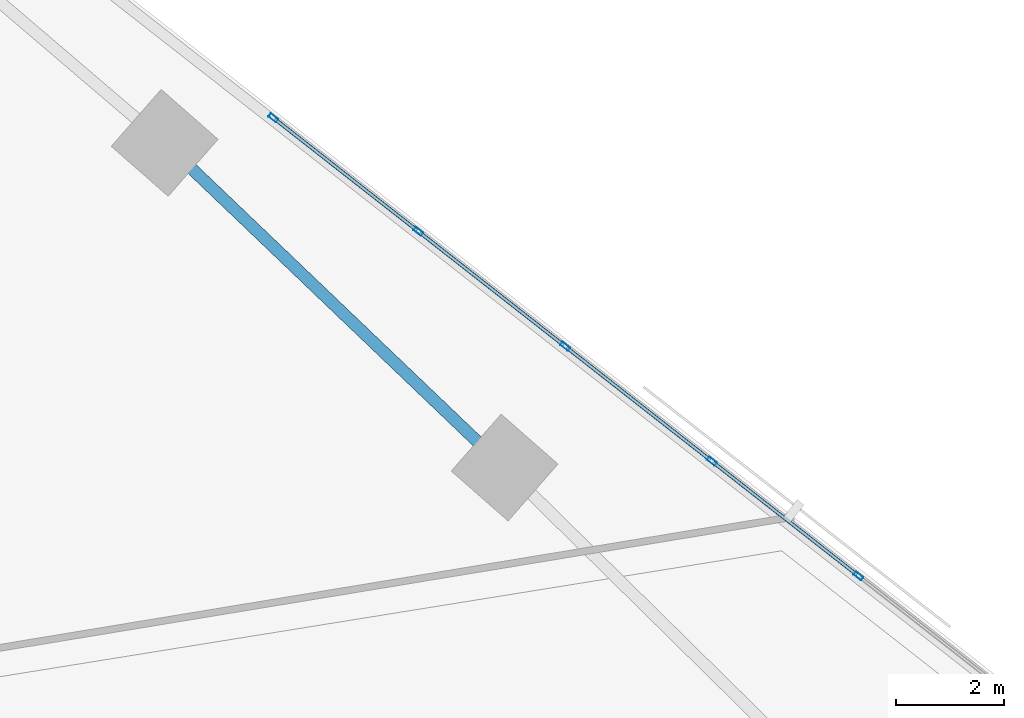
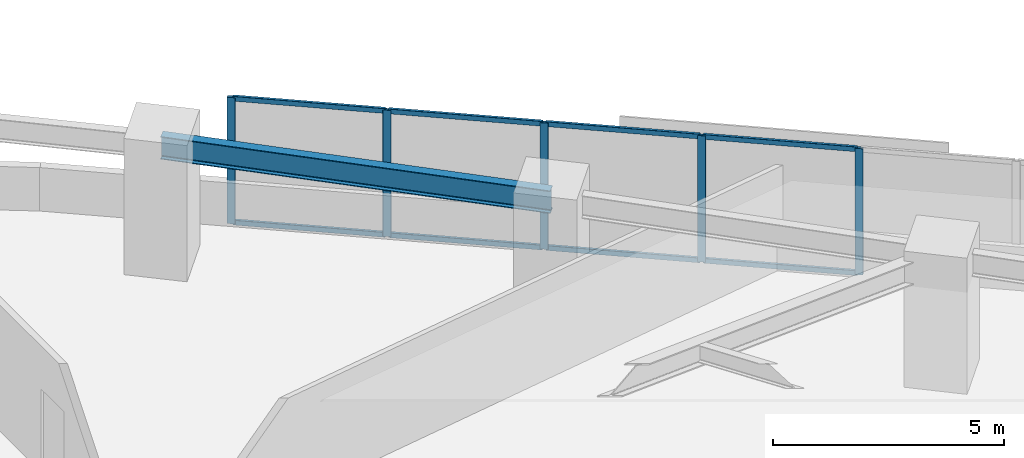
# One storey, part 6 of 15: 13 members, 1 beam, 1 element without a shape of its own.
"""IFC4 building model written with IfcOpenShell, lengths in metres."""

import ifcopenshell
import ifcopenshell.guid

model = None  # the IFC model being written
_history = None  # IfcOwnerHistory: only IFC2X3 demands one
_inside = {}  # id of a spatial element -> (the spatial element, [elements in it])
_under = {}  # id of a project, library or spatial element -> (it, [spatial elements below it])
_declared = {}  # id of a project -> (the project, [libraries it declares])
_typed = {}  # id of a type object -> (the type object, [elements of that type])
_made_of = {}  # id of a material, layer set ... -> (it, [elements and type objects made of it])


def new_model(schema):
    """Start an empty IFC model of exactly this schema.

    Asked for "IFC4X3", IfcOpenShell would pick the latest addendum, in which some entities
    have other attributes; the version numbers below select the first issue.
    IFC2X3 requires an IfcOwnerHistory on every rooted entity: one is made here for all.
    """
    global model, _history
    if schema == "IFC4X3":
        model = ifcopenshell.file(schema_version=(4, 3, 0, 0))
    else:
        model = ifcopenshell.file(schema=schema)
    _inside.clear()
    _under.clear()
    _declared.clear()
    _typed.clear()
    _made_of.clear()
    _history = None
    if model.schema == "IFC2X3":
        org = make("IfcOrganization", Name="unknown")
        user = make(
            "IfcPersonAndOrganization",
            ThePerson=make("IfcPerson", FamilyName="unknown"),
            TheOrganization=org,
        )
        app = make(
            "IfcApplication",
            ApplicationDeveloper=org,
            Version="unknown",
            ApplicationFullName="unknown",
            ApplicationIdentifier="unknown",
        )
        _history = make(
            "IfcOwnerHistory",
            OwningUser=user,
            OwningApplication=app,
            ChangeAction="ADDED",
            CreationDate=0,
        )
    return model


def make(cls, **values):
    """One entity of the class cls with the attributes given. An attribute that is None is left unset."""
    return model.create_entity(
        cls, **{name: value for name, value in values.items() if value is not None}
    )


def rooted(cls, **values):
    """An entity with a GlobalId (a new one), such as an element, a storey or a relation."""
    return make(cls, GlobalId=ifcopenshell.guid.new(), OwnerHistory=_history, **values)


def si_unit(unit_type, name, prefix=None):
    """IfcSIUnit, for example si_unit("LENGTHUNIT", "METRE", prefix="MILLI")."""
    return make("IfcSIUnit", UnitType=unit_type, Prefix=prefix, Name=name)


def assignment(units):
    """IfcUnitAssignment: the units of a project."""
    return None if units is None else make("IfcUnitAssignment", Units=units)


def point(xyz):
    """IfcCartesianPoint."""
    return None if xyz is None else make("IfcCartesianPoint", Coordinates=xyz)


def direction(xyz):
    """IfcDirection."""
    return None if xyz is None else make("IfcDirection", DirectionRatios=xyz)


def frame(location, z_axis=None, x_axis=None):
    """IfcAxis2Placement3D, a coordinate frame: its origin and axes. An axis left out is left unset."""
    return make(
        "IfcAxis2Placement3D",
        Location=point(location),
        Axis=direction(z_axis),
        RefDirection=direction(x_axis),
    )


def frame_2d(location, x_axis=None):
    """IfcAxis2Placement2D, a coordinate frame in the plane: its origin and x axis."""
    return make(
        "IfcAxis2Placement2D", Location=point(location), RefDirection=direction(x_axis)
    )


def origin():
    """The frame at (0, 0, 0) with its axes left unset."""
    return frame((0.0, 0.0, 0.0))


def origin_2d():
    """The frame at (0, 0) in the plane with its x axis left unset."""
    return frame_2d((0.0, 0.0))


def place(relative_to, where):
    """IfcLocalPlacement: puts the frame where relative to a parent placement (None: the world)."""
    return make(
        "IfcLocalPlacement", PlacementRelTo=relative_to, RelativePlacement=where
    )


def context(
    kind, dimensions, precision=None, world=None, true_north=None, identifier=None
):
    """IfcGeometricRepresentationContext, for example the 3D "Model" context."""
    return make(
        "IfcGeometricRepresentationContext",
        ContextIdentifier=identifier,
        ContextType=kind,
        CoordinateSpaceDimension=dimensions,
        Precision=precision,
        WorldCoordinateSystem=world,
        TrueNorth=true_north,
    )


def subcontext(parent, identifier, kind, view, scale=None):
    """IfcGeometricRepresentationSubContext, for example "Body" below "Model"."""
    return make(
        "IfcGeometricRepresentationSubContext",
        ContextIdentifier=identifier,
        ContextType=kind,
        ParentContext=parent,
        TargetScale=scale,
        TargetView=view,
    )


def project(units=None, contexts=None):
    """IfcProject with its units and contexts."""
    return rooted(
        "IfcProject",
        Name="project",
        RepresentationContexts=contexts,
        UnitsInContext=assignment(units),
    )


def spatial(cls, under=None, at=None, **own):
    """A site, building, storey or space (cls), placed at a placement, below another one or the project."""
    s = rooted(cls, ObjectPlacement=at, **own)
    if under is not None:
        _under.setdefault(under.id(), (under, []))[1].append(s)
    return s


def profile(cls, at=None, kind="AREA", **sizes):
    """A parametric profile (cls). Its sizes go by their IFC names, for example OverallWidth=200.0."""
    return make(cls, ProfileType=kind, Position=at, **sizes)


def hollow_rectangle(**sizes):
    """IfcRectangleHollowProfileDef."""
    return profile("IfcRectangleHollowProfileDef", **sizes)


def i_section(**sizes):
    """IfcIShapeProfileDef."""
    return profile("IfcIShapeProfileDef", **sizes)


def extrude(swept, where, along, depth):
    """IfcExtrudedAreaSolid: the profile swept, set in the frame where, extruded along a direction by depth."""
    return make(
        "IfcExtrudedAreaSolid",
        SweptArea=swept,
        Position=where,
        ExtrudedDirection=direction(along),
        Depth=depth,
    )


def shape(context_of_items, identifier, shape_type, items):
    """IfcShapeRepresentation: the items that make up one representation, for example the "Body"."""
    return make(
        "IfcShapeRepresentation",
        ContextOfItems=context_of_items,
        RepresentationIdentifier=identifier,
        RepresentationType=shape_type,
        Items=items,
    )


def material(Name=None, Category=None):
    """IfcMaterial."""
    return make("IfcMaterial", Name=Name, Category=Category)


def material_profile(
    of_material, cross_section, Name=None, Category=None, Priority=None
):
    """IfcMaterialProfile: a cross section and its material."""
    return make(
        "IfcMaterialProfile",
        Name=Name,
        Material=of_material,
        Profile=cross_section,
        Priority=Priority,
        Category=Category,
    )


def profile_set(profiles, Name=None, composite=None):
    """IfcMaterialProfileSet."""
    return make(
        "IfcMaterialProfileSet",
        Name=Name,
        MaterialProfiles=profiles,
        CompositeProfile=composite,
    )


def made_of(thing, what):
    """Note that an element or type object is made of a material, layer set ...; save() writes the relation."""
    if what is not None:
        _made_of.setdefault(what.id(), (what, []))[1].append(thing)
    return thing


def type_object(cls, material=None, **own):
    """A type object (cls), such as IfcWallType, which elements share."""
    return made_of(rooted(cls, **own), material)


def element(
    cls,
    number,
    at=None,
    inside=None,
    cuts=None,
    type_object=None,
    material=None,
    context=None,
    identifier="Body",
    shape_type=None,
    held_by="IfcProductDefinitionShape",
    body=None,
    shapes=None,
    **own,
):
    """One element of the class cls, such as IfcWall. Its Tag is "e" and its number.

    at: its placement. inside: the storey or other place that contains it. cuts: it is an
    opening in that element (IfcRelVoidsElement). A single representation is given by context,
    identifier, shape_type and body (its items); several are given by shapes. held_by: the class
    of the entity that holds the representations. save() writes the other relations.
    """
    e = rooted(cls, Tag="e%d" % number, ObjectPlacement=at, **own)
    if body is not None:
        shapes = [shape(context, identifier, shape_type, body)]
    if shapes is not None:
        e.Representation = make(held_by, Representations=shapes)
    if inside is not None:
        _inside.setdefault(inside.id(), (inside, []))[1].append(e)
    if cuts is not None:
        rooted(
            "IfcRelVoidsElement", RelatingBuildingElement=cuts, RelatedOpeningElement=e
        )
    if type_object is not None:
        _typed.setdefault(type_object.id(), (type_object, []))[1].append(e)
    return made_of(e, material)


def aggregate(whole, parts):
    """IfcRelAggregates: a whole, such as a stair, and the parts it consists of."""
    return rooted("IfcRelAggregates", RelatingObject=whole, RelatedObjects=parts)


def save(model, path):
    """Write the relations noted so far, then the file.

    IfcRelAggregates (storeys below a building ...), IfcRelContainedInSpatialStructure (elements
    in a storey), IfcRelDefinesByType, IfcRelAssociatesMaterial and IfcRelDeclares: one each for
    every whole, place, type object, material and project.
    """
    for whole, parts in _under.values():
        aggregate(whole, parts)
    for where, things in _inside.values():
        rooted(
            "IfcRelContainedInSpatialStructure",
            RelatedElements=things,
            RelatingStructure=where,
        )
    for kind, things in _typed.values():
        rooted("IfcRelDefinesByType", RelatedObjects=things, RelatingType=kind)
    for what, things in _made_of.values():
        rooted("IfcRelAssociatesMaterial", RelatedObjects=things, RelatingMaterial=what)
    for by, libraries in _declared.values():
        rooted("IfcRelDeclares", RelatingContext=by, RelatedDefinitions=libraries)
    model.write(path)


model = new_model("IFC4")

# Units and contexts
model_context = context("Model", 3, precision=1e-05, world=origin(), true_north=direction((0.0, 1.0)))
body_context = subcontext(model_context, "Body", "Model", "MODEL_VIEW")
ifc_project = project(units=[si_unit("LENGTHUNIT", "METRE"), si_unit("AREAUNIT", "SQUARE_METRE"), si_unit("VOLUMEUNIT", "CUBIC_METRE"), si_unit("PLANEANGLEUNIT", "RADIAN"), si_unit("MASSUNIT", "GRAM", prefix="KILO")], contexts=[model_context])

# Site, building, storey
site_placement = place(None, origin())
site = spatial("IfcSite", under=ifc_project, at=site_placement, CompositionType="ELEMENT")
building_placement = place(site_placement, origin())
building = spatial("IfcBuilding", under=site, at=building_placement, Name="Narakoshi Arena Tower", CompositionType="ELEMENT")
storey_placement = place(building_placement, frame((0.0, 0.0, 70.5)))
storey = spatial("IfcBuildingStorey", under=building, at=storey_placement, Name="L18", CompositionType="ELEMENT", Elevation=70.5)

# Beam
ifc_material_1 = material(Name="Structural steel S355J2", Category="steel")
ifc_material_profile_1 = material_profile(ifc_material_1, i_section(OverallWidth=0.219970703125, OverallDepth=0.60009765625, WebThickness=0.011962890625, FlangeThickness=0.01904296875, FilletRadius=0.02392578125, at=origin_2d()), Name="IPE600")
ifc_profile_set_1 = profile_set([ifc_material_profile_1], Name="Structural steel S355J2")
beam_type = type_object("IfcBeamType", Name="BM-EDGE-600", PredefinedType="BEAM", material=ifc_profile_set_1)
beam_placement = place(storey_placement, frame((100.76318359375, 50.931640625, 3.0400390625), z_axis=(-0.723088904438, 0.690754975572, 0.0), x_axis=(-0.690754975572, -0.723088904438, 0.0)))
element("IfcBeam", 1, at=beam_placement, inside=storey, type_object=beam_type, Name="L18 Perimeter Edge Girder 07", PredefinedType="BEAM", context=body_context, shape_type="SweptSolid", body=[
    extrude(i_section(OverallWidth=0.219970703125, OverallDepth=0.60009765625, WebThickness=0.011962890625, FlangeThickness=0.01904296875, FilletRadius=0.02392578125, at=origin_2d()), origin(), (0.0, 0.0, 1.0), 8.690673828125),
])

# Curtain wall, members
ifc_material_2 = material(Name="Anodised bronze aluminium 6063-T6", Category="aluminium")
curtain_wall_type = type_object("IfcCurtainWallType", Name="CW-HYP-LOW", PredefinedType="NOTDEFINED", material=ifc_material_2)
curtain_wall_placement = place(storey_placement, origin())
curtain_wall = element("IfcCurtainWall", 2, at=curtain_wall_placement, inside=storey, type_object=curtain_wall_type, Name="L18 Folded Hypotenuse Curtain Wall 1-1", PredefinedType="NOTDEFINED")
ifc_material_profile_2 = material_profile(ifc_material_2, hollow_rectangle(XDim=0.074951171875, YDim=0.179931640625, WallThickness=0.00390625, OuterFilletRadius=0.0048828125, at=origin_2d()), Name="MUL180x75x4")
ifc_profile_set_2 = profile_set([ifc_material_profile_2], Name="Anodised bronze aluminium 6063-T6")
member_type_1 = type_object("IfcMemberType", Name="MEM-MUL-180", PredefinedType="MULLION", material=ifc_profile_set_2)
member_1_placement = place(storey_placement, frame((107.304443359375, 48.927490234375, 0.0), z_axis=(0.0, 0.0, 1.0), x_axis=(-0.616458234641, -0.787387607817, 0.0)))
member_1 = element("IfcMember", 3, at=member_1_placement, type_object=member_type_1, Name="CW-01 mullion 6", PredefinedType="MULLION", context=body_context, shape_type="SweptSolid", body=[
    extrude(hollow_rectangle(XDim=0.074951171875, YDim=0.179931640625, WallThickness=0.00390625, OuterFilletRadius=0.0048828125, at=origin_2d()), origin(), (0.0, 0.0, 1.0), 3.340087890625),
])
member_2_placement = place(storey_placement, frame((104.5927734375, 51.050537109375, 0.0), z_axis=(0.0, 0.0, 1.0), x_axis=(-0.616458234641, -0.787387607817, 0.0)))
member_2 = element("IfcMember", 4, at=member_2_placement, type_object=member_type_1, Name="CW-01 mullion 7", PredefinedType="MULLION", context=body_context, shape_type="SweptSolid", body=[
    extrude(hollow_rectangle(XDim=0.074951171875, YDim=0.179931640625, WallThickness=0.00390625, OuterFilletRadius=0.0048828125, at=origin_2d()), origin(), (0.0, 0.0, 1.0), 3.340087890625),
])
member_3_placement = place(storey_placement, frame((101.88134765625, 53.17333984375, 0.0), z_axis=(0.0, 0.0, 1.0), x_axis=(-0.616458234641, -0.787387607817, 0.0)))
member_3 = element("IfcMember", 5, at=member_3_placement, type_object=member_type_1, Name="CW-01 mullion 8", PredefinedType="MULLION", context=body_context, shape_type="SweptSolid", body=[
    extrude(hollow_rectangle(XDim=0.074951171875, YDim=0.179931640625, WallThickness=0.00390625, OuterFilletRadius=0.0048828125, at=origin_2d()), origin(), (0.0, 0.0, 1.0), 3.340087890625),
])
member_4_placement = place(storey_placement, frame((99.169677734375, 55.29638671875, 0.0), z_axis=(0.0, 0.0, 1.0), x_axis=(-0.616458234641, -0.787387607817, 0.0)))
member_4 = element("IfcMember", 6, at=member_4_placement, type_object=member_type_1, Name="CW-01 mullion 9", PredefinedType="MULLION", context=body_context, shape_type="SweptSolid", body=[
    extrude(hollow_rectangle(XDim=0.074951171875, YDim=0.179931640625, WallThickness=0.00390625, OuterFilletRadius=0.0048828125, at=origin_2d()), origin(), (0.0, 0.0, 1.0), 3.340087890625),
])
member_5_placement = place(storey_placement, frame((96.48779296875, 57.39599609375, 0.0), z_axis=(0.0, 0.0, 1.0), x_axis=(-0.616458234641, -0.787387607817, 0.0)))
member_5 = element("IfcMember", 7, at=member_5_placement, type_object=member_type_1, Name="CW-01 mullion 10", PredefinedType="MULLION", context=body_context, shape_type="SweptSolid", body=[
    extrude(hollow_rectangle(XDim=0.074951171875, YDim=0.179931640625, WallThickness=0.00390625, OuterFilletRadius=0.0048828125, at=origin_2d()), origin(), (0.0, 0.0, 1.0), 3.340087890625),
])
ifc_material_profile_3 = material_profile(ifc_material_2, hollow_rectangle(XDim=0.06494140625, YDim=0.1298828125, WallThickness=0.00390625, OuterFilletRadius=0.0048828125, at=origin_2d()), Name="TRN130x65x4")
ifc_profile_set_3 = profile_set([ifc_material_profile_3], Name="Anodised bronze aluminium 6063-T6")
member_type_2 = type_object("IfcMemberType", Name="MEM-TRN-130", PredefinedType="USERDEFINED", material=ifc_profile_set_3)
member_6_placement = place(storey_placement, frame((107.27490234375, 48.95068359375, 0.032470703125), z_axis=(-0.787400998112, 0.616441131149, 0.0), x_axis=(-0.616441131149, -0.787400998112, 0.0)))
member_6 = element("IfcMember", 8, at=member_6_placement, type_object=member_type_2, Name="CW-01 transom 6.1", ObjectType="TRANSOM", PredefinedType="USERDEFINED", context=body_context, shape_type="SweptSolid", body=[
    extrude(hollow_rectangle(XDim=0.06494140625, YDim=0.1298828125, WallThickness=0.00390625, OuterFilletRadius=0.0048828125, at=origin_2d()), origin(), (0.0, 0.0, 1.0), 3.368896484375),
])
member_7_placement = place(storey_placement, frame((107.27490234375, 48.95068359375, 3.3076171875), z_axis=(-0.787400998112, 0.616441131149, 0.0), x_axis=(-0.616441131149, -0.787400998112, 0.0)))
member_7 = element("IfcMember", 9, at=member_7_placement, type_object=member_type_2, Name="CW-01 transom 6.2", ObjectType="TRANSOM", PredefinedType="USERDEFINED", context=body_context, shape_type="SweptSolid", body=[
    extrude(hollow_rectangle(XDim=0.06494140625, YDim=0.1298828125, WallThickness=0.00390625, OuterFilletRadius=0.0048828125, at=origin_2d()), origin(), (0.0, 0.0, 1.0), 3.368896484375),
])
member_8_placement = place(storey_placement, frame((104.563232421875, 51.073486328125, 0.032470703125), z_axis=(-0.787373456673, 0.616476309137, 0.0), x_axis=(-0.616476309137, -0.787373456673, 0.0)))
member_8 = element("IfcMember", 10, at=member_8_placement, type_object=member_type_2, Name="CW-01 transom 7.1", ObjectType="TRANSOM", PredefinedType="USERDEFINED", context=body_context, shape_type="SweptSolid", body=[
    extrude(hollow_rectangle(XDim=0.06494140625, YDim=0.1298828125, WallThickness=0.00390625, OuterFilletRadius=0.0048828125, at=origin_2d()), origin(), (0.0, 0.0, 1.0), 3.36865234375),
])
member_9_placement = place(storey_placement, frame((104.563232421875, 51.073486328125, 3.3076171875), z_axis=(-0.787373456673, 0.616476309137, 0.0), x_axis=(-0.616476309137, -0.787373456673, 0.0)))
member_9 = element("IfcMember", 11, at=member_9_placement, type_object=member_type_2, Name="CW-01 transom 7.2", ObjectType="TRANSOM", PredefinedType="USERDEFINED", context=body_context, shape_type="SweptSolid", body=[
    extrude(hollow_rectangle(XDim=0.06494140625, YDim=0.1298828125, WallThickness=0.00390625, OuterFilletRadius=0.0048828125, at=origin_2d()), origin(), (0.0, 0.0, 1.0), 3.36865234375),
])
member_10_placement = place(storey_placement, frame((101.851806640625, 53.196533203125, 0.032470703125), z_axis=(-0.787400998112, 0.616441131149, 0.0), x_axis=(-0.616441131149, -0.787400998112, 0.0)))
member_10 = element("IfcMember", 12, at=member_10_placement, type_object=member_type_2, Name="CW-01 transom 8.1", ObjectType="TRANSOM", PredefinedType="USERDEFINED", context=body_context, shape_type="SweptSolid", body=[
    extrude(hollow_rectangle(XDim=0.06494140625, YDim=0.1298828125, WallThickness=0.00390625, OuterFilletRadius=0.0048828125, at=origin_2d()), origin(), (0.0, 0.0, 1.0), 3.368896484375),
])
member_11_placement = place(storey_placement, frame((101.851806640625, 53.196533203125, 3.3076171875), z_axis=(-0.787400998112, 0.616441131149, 0.0), x_axis=(-0.616441131149, -0.787400998112, 0.0)))
member_11 = element("IfcMember", 13, at=member_11_placement, type_object=member_type_2, Name="CW-01 transom 8.2", ObjectType="TRANSOM", PredefinedType="USERDEFINED", context=body_context, shape_type="SweptSolid", body=[
    extrude(hollow_rectangle(XDim=0.06494140625, YDim=0.1298828125, WallThickness=0.00390625, OuterFilletRadius=0.0048828125, at=origin_2d()), origin(), (0.0, 0.0, 1.0), 3.368896484375),
])
member_12_placement = place(storey_placement, frame((99.14013671875, 55.3193359375, 0.032470703125), z_axis=(-0.787347227026, 0.616509808596, 0.0), x_axis=(-0.616509808596, -0.787347227026, 0.0)))
member_12 = element("IfcMember", 14, at=member_12_placement, type_object=member_type_2, Name="CW-01 transom 9.1", ObjectType="TRANSOM", PredefinedType="USERDEFINED", context=body_context, shape_type="SweptSolid", body=[
    extrude(hollow_rectangle(XDim=0.06494140625, YDim=0.1298828125, WallThickness=0.00390625, OuterFilletRadius=0.0048828125, at=origin_2d()), origin(), (0.0, 0.0, 1.0), 3.331298828125),
])
member_13_placement = place(storey_placement, frame((99.14013671875, 55.3193359375, 3.3076171875), z_axis=(-0.787347227026, 0.616509808596, 0.0), x_axis=(-0.616509808596, -0.787347227026, 0.0)))
member_13 = element("IfcMember", 15, at=member_13_placement, type_object=member_type_2, Name="CW-01 transom 9.2", ObjectType="TRANSOM", PredefinedType="USERDEFINED", context=body_context, shape_type="SweptSolid", body=[
    extrude(hollow_rectangle(XDim=0.06494140625, YDim=0.1298828125, WallThickness=0.00390625, OuterFilletRadius=0.0048828125, at=origin_2d()), origin(), (0.0, 0.0, 1.0), 3.331298828125),
])
aggregate(curtain_wall, [member_1, member_2, member_3, member_4, member_5, member_6, member_7, member_8, member_9, member_10, member_11, member_12, member_13])

save(model, "model.ifc")
